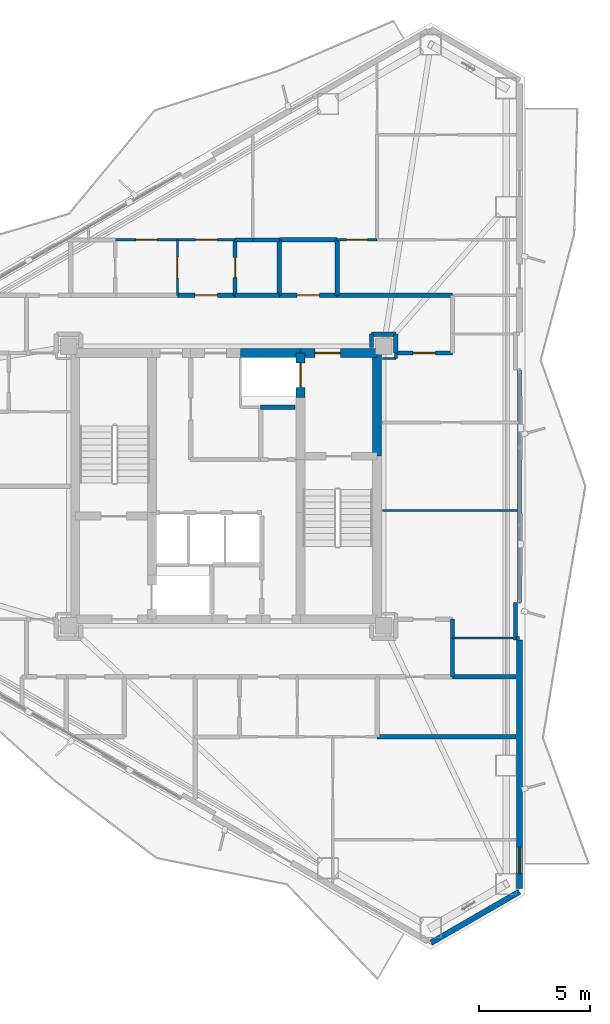
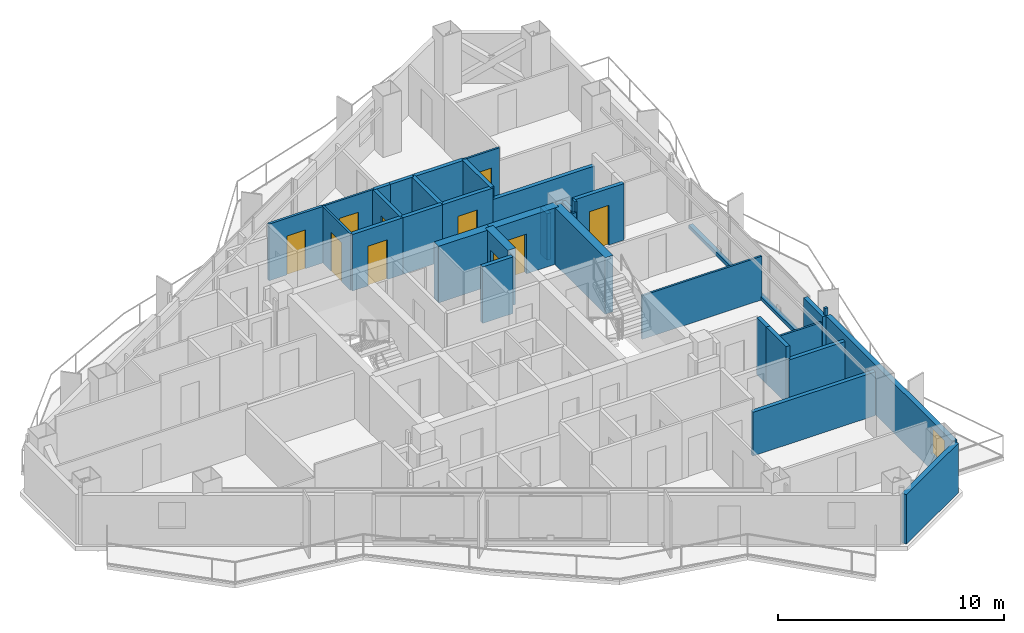
# One storey, part 15 of 18: 36 walls, 10 doors, 1 window, 11 openings.
"""IFC4 building model written with IfcOpenShell, lengths in metres."""

import ifcopenshell
import ifcopenshell.guid

model = None  # the IFC model being written
_history = None  # IfcOwnerHistory: only IFC2X3 demands one
_inside = {}  # id of a spatial element -> (the spatial element, [elements in it])
_under = {}  # id of a project, library or spatial element -> (it, [spatial elements below it])
_declared = {}  # id of a project -> (the project, [libraries it declares])
_typed = {}  # id of a type object -> (the type object, [elements of that type])
_made_of = {}  # id of a material, layer set ... -> (it, [elements and type objects made of it])


def new_model(schema):
    """Start an empty IFC model of exactly this schema.

    Asked for "IFC4X3", IfcOpenShell would pick the latest addendum, in which some entities
    have other attributes; the version numbers below select the first issue.
    IFC2X3 requires an IfcOwnerHistory on every rooted entity: one is made here for all.
    """
    global model, _history
    if schema == "IFC4X3":
        model = ifcopenshell.file(schema_version=(4, 3, 0, 0))
    else:
        model = ifcopenshell.file(schema=schema)
    _inside.clear()
    _under.clear()
    _declared.clear()
    _typed.clear()
    _made_of.clear()
    _history = None
    if model.schema == "IFC2X3":
        org = make("IfcOrganization", Name="unknown")
        user = make(
            "IfcPersonAndOrganization",
            ThePerson=make("IfcPerson", FamilyName="unknown"),
            TheOrganization=org,
        )
        app = make(
            "IfcApplication",
            ApplicationDeveloper=org,
            Version="unknown",
            ApplicationFullName="unknown",
            ApplicationIdentifier="unknown",
        )
        _history = make(
            "IfcOwnerHistory",
            OwningUser=user,
            OwningApplication=app,
            ChangeAction="ADDED",
            CreationDate=0,
        )
    return model


def make(cls, **values):
    """One entity of the class cls with the attributes given. An attribute that is None is left unset."""
    return model.create_entity(
        cls, **{name: value for name, value in values.items() if value is not None}
    )


def rooted(cls, **values):
    """An entity with a GlobalId (a new one), such as an element, a storey or a relation."""
    return make(cls, GlobalId=ifcopenshell.guid.new(), OwnerHistory=_history, **values)


def si_unit(unit_type, name, prefix=None):
    """IfcSIUnit, for example si_unit("LENGTHUNIT", "METRE", prefix="MILLI")."""
    return make("IfcSIUnit", UnitType=unit_type, Prefix=prefix, Name=name)


def assignment(units):
    """IfcUnitAssignment: the units of a project."""
    return None if units is None else make("IfcUnitAssignment", Units=units)


def point(xyz):
    """IfcCartesianPoint."""
    return None if xyz is None else make("IfcCartesianPoint", Coordinates=xyz)


def direction(xyz):
    """IfcDirection."""
    return None if xyz is None else make("IfcDirection", DirectionRatios=xyz)


def frame(location, z_axis=None, x_axis=None):
    """IfcAxis2Placement3D, a coordinate frame: its origin and axes. An axis left out is left unset."""
    return make(
        "IfcAxis2Placement3D",
        Location=point(location),
        Axis=direction(z_axis),
        RefDirection=direction(x_axis),
    )


def frame_2d(location, x_axis=None):
    """IfcAxis2Placement2D, a coordinate frame in the plane: its origin and x axis."""
    return make(
        "IfcAxis2Placement2D", Location=point(location), RefDirection=direction(x_axis)
    )


def origin():
    """The frame at (0, 0, 0) with its axes left unset."""
    return frame((0.0, 0.0, 0.0))


def place(relative_to, where):
    """IfcLocalPlacement: puts the frame where relative to a parent placement (None: the world)."""
    return make(
        "IfcLocalPlacement", PlacementRelTo=relative_to, RelativePlacement=where
    )


def context(
    kind, dimensions, precision=None, world=None, true_north=None, identifier=None
):
    """IfcGeometricRepresentationContext, for example the 3D "Model" context."""
    return make(
        "IfcGeometricRepresentationContext",
        ContextIdentifier=identifier,
        ContextType=kind,
        CoordinateSpaceDimension=dimensions,
        Precision=precision,
        WorldCoordinateSystem=world,
        TrueNorth=true_north,
    )


def subcontext(parent, identifier, kind, view, scale=None):
    """IfcGeometricRepresentationSubContext, for example "Body" below "Model"."""
    return make(
        "IfcGeometricRepresentationSubContext",
        ContextIdentifier=identifier,
        ContextType=kind,
        ParentContext=parent,
        TargetScale=scale,
        TargetView=view,
    )


def project(units=None, contexts=None):
    """IfcProject with its units and contexts."""
    return rooted(
        "IfcProject",
        Name="project",
        RepresentationContexts=contexts,
        UnitsInContext=assignment(units),
    )


def spatial(cls, under=None, at=None, **own):
    """A site, building, storey or space (cls), placed at a placement, below another one or the project."""
    s = rooted(cls, ObjectPlacement=at, **own)
    if under is not None:
        _under.setdefault(under.id(), (under, []))[1].append(s)
    return s


def profile(cls, at=None, kind="AREA", **sizes):
    """A parametric profile (cls). Its sizes go by their IFC names, for example OverallWidth=200.0."""
    return make(cls, ProfileType=kind, Position=at, **sizes)


def rectangle(**sizes):
    """IfcRectangleProfileDef."""
    return profile("IfcRectangleProfileDef", **sizes)


def extrude(swept, where, along, depth):
    """IfcExtrudedAreaSolid: the profile swept, set in the frame where, extruded along a direction by depth."""
    return make(
        "IfcExtrudedAreaSolid",
        SweptArea=swept,
        Position=where,
        ExtrudedDirection=direction(along),
        Depth=depth,
    )


def shape(context_of_items, identifier, shape_type, items):
    """IfcShapeRepresentation: the items that make up one representation, for example the "Body"."""
    return make(
        "IfcShapeRepresentation",
        ContextOfItems=context_of_items,
        RepresentationIdentifier=identifier,
        RepresentationType=shape_type,
        Items=items,
    )


def material(Name=None, Category=None):
    """IfcMaterial."""
    return make("IfcMaterial", Name=Name, Category=Category)


def layer(
    of_material, thickness, ventilated=None, Name=None, Category=None, Priority=None
):
    """IfcMaterialLayer: one layer of a wall or slab, of a material (None: an air gap)."""
    return make(
        "IfcMaterialLayer",
        Material=of_material,
        LayerThickness=thickness,
        IsVentilated=ventilated,
        Name=Name,
        Category=Category,
        Priority=Priority,
    )


def layer_set(layers, Name=None):
    """IfcMaterialLayerSet."""
    return make("IfcMaterialLayerSet", MaterialLayers=layers, LayerSetName=Name)


def made_of(thing, what):
    """Note that an element or type object is made of a material, layer set ...; save() writes the relation."""
    if what is not None:
        _made_of.setdefault(what.id(), (what, []))[1].append(thing)
    return thing


def type_object(cls, material=None, **own):
    """A type object (cls), such as IfcWallType, which elements share."""
    return made_of(rooted(cls, **own), material)


def element(
    cls,
    number,
    at=None,
    inside=None,
    cuts=None,
    type_object=None,
    material=None,
    context=None,
    identifier="Body",
    shape_type=None,
    held_by="IfcProductDefinitionShape",
    body=None,
    shapes=None,
    **own,
):
    """One element of the class cls, such as IfcWall. Its Tag is "e" and its number.

    at: its placement. inside: the storey or other place that contains it. cuts: it is an
    opening in that element (IfcRelVoidsElement). A single representation is given by context,
    identifier, shape_type and body (its items); several are given by shapes. held_by: the class
    of the entity that holds the representations. save() writes the other relations.
    """
    e = rooted(cls, Tag="e%d" % number, ObjectPlacement=at, **own)
    if body is not None:
        shapes = [shape(context, identifier, shape_type, body)]
    if shapes is not None:
        e.Representation = make(held_by, Representations=shapes)
    if inside is not None:
        _inside.setdefault(inside.id(), (inside, []))[1].append(e)
    if cuts is not None:
        rooted(
            "IfcRelVoidsElement", RelatingBuildingElement=cuts, RelatedOpeningElement=e
        )
    if type_object is not None:
        _typed.setdefault(type_object.id(), (type_object, []))[1].append(e)
    return made_of(e, material)


def fill(opening, filler):
    """IfcRelFillsElement: the door or window that sits in an opening."""
    return rooted(
        "IfcRelFillsElement",
        RelatingOpeningElement=opening,
        RelatedBuildingElement=filler,
    )


def aggregate(whole, parts):
    """IfcRelAggregates: a whole, such as a stair, and the parts it consists of."""
    return rooted("IfcRelAggregates", RelatingObject=whole, RelatedObjects=parts)


def save(model, path):
    """Write the relations noted so far, then the file.

    IfcRelAggregates (storeys below a building ...), IfcRelContainedInSpatialStructure (elements
    in a storey), IfcRelDefinesByType, IfcRelAssociatesMaterial and IfcRelDeclares: one each for
    every whole, place, type object, material and project.
    """
    for whole, parts in _under.values():
        aggregate(whole, parts)
    for where, things in _inside.values():
        rooted(
            "IfcRelContainedInSpatialStructure",
            RelatedElements=things,
            RelatingStructure=where,
        )
    for kind, things in _typed.values():
        rooted("IfcRelDefinesByType", RelatedObjects=things, RelatingType=kind)
    for what, things in _made_of.values():
        rooted("IfcRelAssociatesMaterial", RelatedObjects=things, RelatingMaterial=what)
    for by, libraries in _declared.values():
        rooted("IfcRelDeclares", RelatingContext=by, RelatedDefinitions=libraries)
    model.write(path)


model = new_model("IFC4")

# Units and contexts
model_context = context("Model", 3, precision=1e-05, world=origin(), true_north=direction((0.0, 1.0)))
body_context = subcontext(model_context, "Body", "Model", "MODEL_VIEW")
ifc_project = project(units=[si_unit("LENGTHUNIT", "METRE"), si_unit("AREAUNIT", "SQUARE_METRE"), si_unit("VOLUMEUNIT", "CUBIC_METRE"), si_unit("PLANEANGLEUNIT", "RADIAN"), si_unit("MASSUNIT", "GRAM", prefix="KILO")], contexts=[model_context])

# Site, building, storey
site_placement = place(None, origin())
site = spatial("IfcSite", under=ifc_project, at=site_placement, CompositionType="ELEMENT")
building_placement = place(site_placement, origin())
building = spatial("IfcBuilding", under=site, at=building_placement, Name="Mersakhor Tower and Convention Hall", CompositionType="ELEMENT")
storey_placement = place(building_placement, frame((0.0, 0.0, 137.699951171875)))
storey = spatial("IfcBuildingStorey", under=building, at=storey_placement, Name="L38", CompositionType="ELEMENT", Elevation=137.699951171875)

# Wall
ifc_material_1 = material(Name="Precast concrete C40/50", Category="concrete")
ifc_layer_1 = layer(ifc_material_1, 0.25)
ifc_layer_set_1 = layer_set([ifc_layer_1], Name="Precast concrete C40/50")
wall_type_1 = type_object("IfcWallType", Name="WL-EXT-250", PredefinedType="SOLIDWALL", material=ifc_layer_set_1)
wall_1_placement = place(storey_placement, frame((42.21923828125, 8.470947265625, 0.0), z_axis=(0.0, 0.0, 1.0), x_axis=(-0.866035021055, -0.499983342029, 0.0)))
element("IfcWall", 1, at=wall_1_placement, inside=storey, type_object=wall_type_1, Name="L38 Chamfer Braced Spandrel Wall C2", PredefinedType="SOLIDWALL", context=body_context, shape_type="SweptSolid", body=[
    extrude(rectangle(XDim=4.617431640625, YDim=0.25, at=frame_2d((2.30859375, 0.0))), origin(), (0.0, 0.0, 1.0), 2.679931640625),
])

# Wall, opening, window
wall_2_placement = place(storey_placement, frame((42.21923828125, 19.806884765625, 0.0), z_axis=(0.0, 0.0, 1.0), x_axis=(0.0, -1.0, 0.0)))
wall_2 = element("IfcWall", 2, at=wall_2_placement, inside=storey, type_object=wall_type_1, Name="L38 Exterior Facade Wall F2-B3", PredefinedType="SOLIDWALL", context=body_context, shape_type="SweptSolid", body=[
    extrude(rectangle(XDim=11.185791015625, YDim=0.25, at=frame_2d((5.5927734375, 0.0))), origin(), (0.0, 0.0, 1.0), 2.679931640625),
])
opening_1_placement = place(wall_2_placement, frame((9.326904296875, 0.0, 0.89990234375)))
opening_1 = element("IfcOpeningElement", 3, at=opening_1_placement, cuts=wall_2, Name="Opening W-01", PredefinedType="OPENING", context=body_context, shape_type="SweptSolid", body=[
    extrude(rectangle(XDim=1.199951171875, YDim=1.39990234375, at=frame_2d((0.60009765625, 0.699951171875))), frame((0.0, 0.135009765625, 0.0), z_axis=(0.0, -1.0, 0.0), x_axis=(1.0, 0.0, 0.0)), (0.0, 0.0, 1.0), 0.27001953125),
])
ifc_material_2 = material(Name="Dark solar low-E glazed aluminium window", Category="aluminium")
window_type = type_object("IfcWindowType", Name="WN-RES-120x150", PartitioningType="SINGLE_PANEL", PredefinedType="WINDOW", material=ifc_material_2)
window_placement = place(opening_1_placement, origin())
window = element("IfcWindow", 4, at=window_placement, inside=storey, type_object=window_type, Name="L38 Bedroom Facade Window F2-B3-1", OverallHeight=1.39990234375, OverallWidth=1.199951171875, PartitioningType="SINGLE_PANEL", PredefinedType="WINDOW", context=body_context, shape_type="SweptSolid", body=[
    extrude(rectangle(XDim=1.199951171875, YDim=1.39990234375, at=frame_2d((0.60009765625, 0.699951171875))), frame((0.0, 0.030029296875, 0.0), z_axis=(0.0, -1.0, 0.0), x_axis=(1.0, 0.0, 0.0)), (0.0, 0.0, 1.0), 0.06005859375),
])
fill(opening_1, window)

# Walls
ifc_material_3 = material(Name="Precast concrete C40/50", Category="concrete")
ifc_layer_2 = layer(ifc_material_3, 0.199951171875)
ifc_layer_set_2 = layer_set([ifc_layer_2], Name="Precast concrete C40/50")
wall_type_2 = type_object("IfcWallType", Name="WL-PAR-200", PredefinedType="PARAPET", material=ifc_layer_set_2)
wall_3_placement = place(storey_placement, frame((42.21923828125, 31.992919921875, 0.0), z_axis=(0.0, 0.0, 1.0), x_axis=(0.0, -1.0, 0.0)))
element("IfcWall", 5, at=wall_3_placement, inside=storey, type_object=wall_type_2, Name="L38 Curtain Wall Upstand Sill F2-B2", PredefinedType="PARAPET", context=body_context, shape_type="SweptSolid", body=[
    extrude(rectangle(XDim=10.48583984375, YDim=0.199951171875, at=frame_2d((5.242919921875, 0.0))), origin(), (0.0, 0.0, 1.0), 0.199951171875),
])
wall_4_placement = place(storey_placement, frame((42.039306640625, 21.507080078125, 0.0), z_axis=(0.0, 0.0, 1.0), x_axis=(0.0, -1.0, 0.0)))
element("IfcWall", 6, at=wall_4_placement, inside=storey, type_object=wall_type_2, Name="L38 Column Pier Cladding Wall F2-C2", PredefinedType="PARAPET", context=body_context, shape_type="SweptSolid", body=[
    extrude(rectangle(XDim=1.7001953125, YDim=0.199951171875, at=frame_2d((0.85009765625, 0.0))), origin(), (0.0, 0.0, 1.0), 2.679931640625),
])

# Wall, opening, door
ifc_material_4 = material(Name="Moisture-resistant acoustic drywall studwork", Category="other")
ifc_layer_3 = layer(ifc_material_4, 0.175048828125)
ifc_layer_set_3 = layer_set([ifc_layer_3], Name="Moisture-resistant acoustic drywall studwork")
wall_type_3 = type_object("IfcWallType", Name="WL-PLM-175", PredefinedType="PLUMBINGWALL", material=ifc_layer_set_3)
wall_5_placement = place(storey_placement, frame((29.39990234375, 37.85009765625, 0.0), z_axis=(0.0, 0.0, 1.0), x_axis=(0.0, -1.0, 0.0)))
wall_5 = element("IfcWall", 7, at=wall_5_placement, inside=storey, type_object=wall_type_3, Name="L38 Interior Partition Wall P-053", PredefinedType="PLUMBINGWALL", context=body_context, shape_type="SweptSolid", body=[
    extrude(rectangle(XDim=2.5, YDim=0.175048828125, at=frame_2d((1.25, 0.0))), origin(), (0.0, 0.0, 1.0), 3.06005859375),
])
opening_2_placement = place(wall_5_placement, frame((0.800048828125, 0.0, 0.0)))
opening_2 = element("IfcOpeningElement", 8, at=opening_2_placement, cuts=wall_5, Name="Opening WD-01", PredefinedType="OPENING", context=body_context, shape_type="SweptSolid", body=[
    extrude(rectangle(XDim=0.89990234375, YDim=2.10009765625, at=frame_2d((0.449951171875, 1.050048828125))), frame((0.0, 0.097412109375, 0.0), z_axis=(0.0, -1.0, 0.0), x_axis=(1.0, 0.0, 0.0)), (0.0, 0.0, 1.0), 0.195068359375),
])
ifc_material_5 = material(Name="Solid-core hardwood leaf in painted steel frame", Category="steel")
door_type_1 = type_object("IfcDoorType", Name="DR-INT-WET-090x210", OperationType="NOTDEFINED", PredefinedType="DOOR", material=ifc_material_5)
door_1_placement = place(opening_2_placement, origin())
door_1 = element("IfcDoor", 9, at=door_1_placement, inside=storey, type_object=door_type_1, Name="L38 L38 Flat N1 Apartment Hall to L38 Flat N1 En-Suite Shower Room Door", OperationType="SINGLE_SWING_LEFT", OverallHeight=2.10009765625, OverallWidth=0.89990234375, PredefinedType="DOOR", context=body_context, shape_type="SweptSolid", body=[
    extrude(rectangle(XDim=0.89990234375, YDim=2.10009765625, at=frame_2d((0.449951171875, 1.050048828125))), frame((0.0, 0.02490234375, 0.0), z_axis=(0.0, -1.0, 0.0), x_axis=(1.0, 0.0, 0.0)), (0.0, 0.0, 1.0), 0.050048828125),
])
fill(opening_2, door_1)

# Walls
wall_6_placement = place(storey_placement, frame((29.39990234375, 37.85009765625, 0.0), z_axis=(0.0, 0.0, 1.0), x_axis=(1.0, 0.0, 0.0)))
element("IfcWall", 10, at=wall_6_placement, inside=storey, type_object=wall_type_3, Name="L38 Interior Partition Wall P-068", PredefinedType="PLUMBINGWALL", context=body_context, shape_type="SweptSolid", body=[
    extrude(rectangle(XDim=0.800048828125, YDim=0.175048828125, at=frame_2d((0.39990234375, 0.0))), origin(), (0.0, 0.0, 1.0), 3.06005859375),
])
wall_7_placement = place(storey_placement, frame((30.199951171875, 37.85009765625, 0.0), z_axis=(0.0, 0.0, 1.0), x_axis=(1.0, 0.0, 0.0)))
element("IfcWall", 11, at=wall_7_placement, inside=storey, type_object=wall_type_3, Name="L38 Interior Partition Wall P-069", PredefinedType="PLUMBINGWALL", context=body_context, shape_type="SweptSolid", body=[
    extrude(rectangle(XDim=1.199951171875, YDim=0.175048828125, at=frame_2d((0.60009765625, 0.0))), origin(), (0.0, 0.0, 1.0), 3.06005859375),
])

# Wall, opening, door
ifc_material_6 = material(Name="Lightweight gypsum partition", Category="other")
ifc_layer_4 = layer(ifc_material_6, 0.10009765625)
ifc_layer_set_4 = layer_set([ifc_layer_4], Name="Lightweight gypsum partition")
wall_type_4 = type_object("IfcWallType", Name="WL-PRT-100", PredefinedType="PARTITIONING", material=ifc_layer_set_4)
wall_8_placement = place(storey_placement, frame((26.800048828125, 37.85009765625, 0.0), z_axis=(0.0, 0.0, 1.0), x_axis=(1.0, 0.0, 0.0)))
wall_8 = element("IfcWall", 12, at=wall_8_placement, inside=storey, type_object=wall_type_4, Name="L38 Interior Partition Wall P-052", PredefinedType="PARTITIONING", context=body_context, shape_type="SweptSolid", body=[
    extrude(rectangle(XDim=2.599853515625, YDim=0.10009765625, at=frame_2d((1.2998046875, 0.0))), origin(), (0.0, 0.0, 1.0), 3.06005859375),
])
opening_3_placement = place(wall_8_placement, frame((0.824951171875, 0.0, 0.0)))
opening_3 = element("IfcOpeningElement", 13, at=opening_3_placement, cuts=wall_8, Name="Opening RD-01", PredefinedType="OPENING", context=body_context, shape_type="SweptSolid", body=[
    extrude(rectangle(XDim=0.949951171875, YDim=2.10009765625, at=frame_2d((0.47509765625, 1.050048828125))), frame((0.0, 0.06005859375, 0.0), z_axis=(0.0, -1.0, 0.0), x_axis=(1.0, 0.0, 0.0)), (0.0, 0.0, 1.0), 0.1201171875),
])
ifc_material_7 = material(Name="Solid-core hardwood leaf in painted steel frame", Category="steel")
door_type_2 = type_object("IfcDoorType", Name="DR-INT-RM-095x210", OperationType="NOTDEFINED", PredefinedType="DOOR", material=ifc_material_7)
door_2_placement = place(opening_3_placement, origin())
door_2 = element("IfcDoor", 14, at=door_2_placement, inside=storey, type_object=door_type_2, Name="L38 L38 Flat N1 Apartment Hall to L38 Flat N1 Living and Dining Room Door", OperationType="SINGLE_SWING_RIGHT", OverallHeight=2.10009765625, OverallWidth=0.949951171875, PredefinedType="DOOR", context=body_context, shape_type="SweptSolid", body=[
    extrude(rectangle(XDim=0.949951171875, YDim=2.10009765625, at=frame_2d((0.47509765625, 1.050048828125))), frame((0.0, 0.02490234375, 0.0), z_axis=(0.0, -1.0, 0.0), x_axis=(1.0, 0.0, 0.0)), (0.0, 0.0, 1.0), 0.050048828125),
])
fill(opening_3, door_2)

wall_9_placement = place(storey_placement, frame((26.800048828125, 35.35009765625, 0.0), z_axis=(0.0, 0.0, 1.0), x_axis=(0.0, 1.0, 0.0)))
wall_9 = element("IfcWall", 15, at=wall_9_placement, inside=storey, type_object=wall_type_4, Name="L38 Interior Partition Wall P-054", PredefinedType="PARTITIONING", context=body_context, shape_type="SweptSolid", body=[
    extrude(rectangle(XDim=2.5, YDim=0.10009765625, at=frame_2d((1.25, 0.0))), origin(), (0.0, 0.0, 1.0), 3.06005859375),
])
opening_4_placement = place(wall_9_placement, frame((0.77490234375, 0.0, 0.0)))
opening_4 = element("IfcOpeningElement", 16, at=opening_4_placement, cuts=wall_9, Name="Opening RD-01", PredefinedType="OPENING", context=body_context, shape_type="SweptSolid", body=[
    extrude(rectangle(XDim=0.949951171875, YDim=2.10009765625, at=frame_2d((0.47509765625, 1.050048828125))), frame((0.0, 0.06005859375, 0.0), z_axis=(0.0, -1.0, 0.0), x_axis=(1.0, 0.0, 0.0)), (0.0, 0.0, 1.0), 0.1201171875),
])
door_3_placement = place(opening_4_placement, origin())
door_3 = element("IfcDoor", 17, at=door_3_placement, inside=storey, type_object=door_type_2, Name="L38 L38 Flat N1 Apartment Hall to L38 Flat N1 Kitchen Door", OperationType="SINGLE_SWING_RIGHT", OverallHeight=2.10009765625, OverallWidth=0.949951171875, PredefinedType="DOOR", context=body_context, shape_type="SweptSolid", body=[
    extrude(rectangle(XDim=0.949951171875, YDim=2.10009765625, at=frame_2d((0.47509765625, 1.050048828125))), frame((0.0, 0.02490234375, 0.0), z_axis=(0.0, -1.0, 0.0), x_axis=(1.0, 0.0, 0.0)), (0.0, 0.0, 1.0), 0.050048828125),
])
fill(opening_4, door_3)

# Walls
wall_10_placement = place(storey_placement, frame((42.18115234375, 25.64990234375, 0.0), z_axis=(0.0, 0.0, 1.0), x_axis=(-1.0, 0.0, 0.0)))
element("IfcWall", 18, at=wall_10_placement, inside=storey, type_object=wall_type_4, Name="L38 Interior Partition Wall P-098", PredefinedType="PARTITIONING", context=body_context, shape_type="SweptSolid", body=[
    extrude(rectangle(XDim=6.131103515625, YDim=0.10009765625, at=frame_2d((3.0654296875, 0.0))), origin(), (0.0, 0.0, 1.0), 2.364990234375),
])
wall_11_placement = place(storey_placement, frame((36.050048828125, 32.5, 0.0), z_axis=(0.0, 0.0, 1.0), x_axis=(1.0, 0.0, 0.0)))
element("IfcWall", 19, at=wall_11_placement, inside=storey, type_object=wall_type_4, Name="L38 Interior Partition Wall P-102", PredefinedType="PARTITIONING", context=body_context, shape_type="SweptSolid", body=[
    extrude(rectangle(XDim=0.599853515625, YDim=0.10009765625, at=frame_2d((0.2998046875, 0.0))), origin(), (0.0, 0.0, 1.0), 2.50830078125),
])
wall_12_placement = place(storey_placement, frame((41.915283203125, 19.89990234375, 0.0), z_axis=(0.0, 0.0, 1.0), x_axis=(-1.0, 0.0, 0.0)))
element("IfcWall", 20, at=wall_12_placement, inside=storey, type_object=wall_type_4, Name="L38 Interior Partition Wall P-106", PredefinedType="PARTITIONING", context=body_context, shape_type="SweptSolid", body=[
    extrude(rectangle(XDim=2.71533203125, YDim=0.10009765625, at=frame_2d((1.357666015625, 0.0))), origin(), (0.0, 0.0, 1.0), 2.364990234375),
])

# Wall, opening, door
wall_13_placement = place(storey_placement, frame((34.0, 37.85009765625, 0.0), z_axis=(0.0, 0.0, 1.0), x_axis=(1.0, 0.0, 0.0)))
wall_13 = element("IfcWall", 21, at=wall_13_placement, inside=storey, type_object=wall_type_4, Name="L38 Interior Partition Wall P-108", PredefinedType="PARTITIONING", context=body_context, shape_type="SweptSolid", body=[
    extrude(rectangle(XDim=1.800048828125, YDim=0.10009765625, at=frame_2d((0.89990234375, 0.0))), origin(), (0.0, 0.0, 1.0), 3.06005859375),
])
opening_5_placement = place(wall_13_placement, frame((0.425048828125, 0.0, 0.0)))
opening_5 = element("IfcOpeningElement", 22, at=opening_5_placement, cuts=wall_13, Name="Opening RD-01", PredefinedType="OPENING", context=body_context, shape_type="SweptSolid", body=[
    extrude(rectangle(XDim=0.949951171875, YDim=2.10009765625, at=frame_2d((0.47509765625, 1.050048828125))), frame((0.0, 0.06005859375, 0.0), z_axis=(0.0, -1.0, 0.0), x_axis=(1.0, 0.0, 0.0)), (0.0, 0.0, 1.0), 0.1201171875),
])
door_4_placement = place(opening_5_placement, origin())
door_4 = element("IfcDoor", 23, at=door_4_placement, inside=storey, type_object=door_type_2, Name="L38 L38 Flat N1 Study Room to L38 Flat N1 Master Bedroom Door", OperationType="SINGLE_SWING_RIGHT", OverallHeight=2.10009765625, OverallWidth=0.949951171875, PredefinedType="DOOR", context=body_context, shape_type="SweptSolid", body=[
    extrude(rectangle(XDim=0.949951171875, YDim=2.10009765625, at=frame_2d((0.47509765625, 1.050048828125))), frame((0.0, 0.02490234375, 0.0), z_axis=(0.0, -1.0, 0.0), x_axis=(1.0, 0.0, 0.0)), (0.0, 0.0, 1.0), 0.050048828125),
])
fill(opening_5, door_4)

ifc_material_8 = material(Name="Gypsum board acoustic partition", Category="other")
ifc_layer_5 = layer(ifc_material_8, 0.125)
ifc_layer_set_5 = layer_set([ifc_layer_5], Name="Gypsum board acoustic partition")
wall_type_5 = type_object("IfcWallType", Name="WL-PRT-125", PredefinedType="PARTITIONING", material=ifc_layer_set_5)
wall_14_placement = place(storey_placement, frame((24.0, 37.85009765625, 0.0), z_axis=(0.0, 0.0, 1.0), x_axis=(1.0, 0.0, 0.0)))
wall_14 = element("IfcWall", 24, at=wall_14_placement, inside=storey, type_object=wall_type_5, Name="L38 Interior Partition Wall P-063", PredefinedType="PARTITIONING", context=body_context, shape_type="SweptSolid", body=[
    extrude(rectangle(XDim=2.800048828125, YDim=0.125, at=frame_2d((1.39990234375, 0.0))), origin(), (0.0, 0.0, 1.0), 3.06005859375),
])
opening_6_placement = place(wall_14_placement, frame((0.925048828125, 0.0, 0.0)))
opening_6 = element("IfcOpeningElement", 25, at=opening_6_placement, cuts=wall_14, Name="Opening RD-01", PredefinedType="OPENING", context=body_context, shape_type="SweptSolid", body=[
    extrude(rectangle(XDim=0.949951171875, YDim=2.10009765625, at=frame_2d((0.47509765625, 1.050048828125))), frame((0.0, 0.072509765625, 0.0), z_axis=(0.0, -1.0, 0.0), x_axis=(1.0, 0.0, 0.0)), (0.0, 0.0, 1.0), 0.14501953125),
])
door_5_placement = place(opening_6_placement, origin())
door_5 = element("IfcDoor", 26, at=door_5_placement, inside=storey, type_object=door_type_2, Name="L38 L38 Flat N1 Kitchen to L38 Flat N1 Living and Dining Room Door", OperationType="SINGLE_SWING_RIGHT", OverallHeight=2.10009765625, OverallWidth=0.949951171875, PredefinedType="DOOR", context=body_context, shape_type="SweptSolid", body=[
    extrude(rectangle(XDim=0.949951171875, YDim=2.10009765625, at=frame_2d((0.47509765625, 1.050048828125))), frame((0.0, 0.02490234375, 0.0), z_axis=(0.0, -1.0, 0.0), x_axis=(1.0, 0.0, 0.0)), (0.0, 0.0, 1.0), 0.050048828125),
])
fill(opening_6, door_5)

# Walls
wall_15_placement = place(storey_placement, frame((36.64990234375, 32.5, 0.0), z_axis=(0.0, 0.0, 1.0), x_axis=(0.0, 1.0, 0.0)))
element("IfcWall", 27, at=wall_15_placement, inside=storey, type_object=wall_type_5, Name="L38 Interior Partition Wall P-099", PredefinedType="PARTITIONING", context=body_context, shape_type="SweptSolid", body=[
    extrude(rectangle(XDim=0.25, YDim=0.125, at=frame_2d((0.125, 0.0))), origin(), (0.0, 0.0, 1.0), 3.06005859375),
])
wall_16_placement = place(storey_placement, frame((42.218994140625, 19.89990234375, 0.0), z_axis=(0.0, 0.0, 1.0), x_axis=(-1.0, 0.0, 0.0)))
element("IfcWall", 28, at=wall_16_placement, inside=storey, type_object=wall_type_5, Name="L38 Interior Partition Wall P-105", PredefinedType="PARTITIONING", context=body_context, shape_type="SweptSolid", body=[
    extrude(rectangle(XDim=0.144775390625, YDim=0.125, at=frame_2d((0.072265625, 0.0))), origin(), (0.0, 0.0, 1.0), 3.06005859375),
])
ifc_material_9 = material(Name="Acoustic concrete blockwork and gypsum board", Category="masonry")
ifc_layer_6 = layer(ifc_material_9, 0.199951171875)
ifc_layer_set_6 = layer_set([ifc_layer_6], Name="Acoustic concrete blockwork and gypsum board")
wall_type_6 = type_object("IfcWallType", Name="WL-PRT-200", PredefinedType="PARTITIONING", material=ifc_layer_set_6)
wall_17_placement = place(storey_placement, frame((32.10009765625, 30.300048828125, 0.0), z_axis=(0.0, 0.0, 1.0), x_axis=(-1.0, 0.0, 0.0)))
element("IfcWall", 29, at=wall_17_placement, inside=storey, type_object=wall_type_6, Name="L38 Interior Partition Wall P-004", PredefinedType="PARTITIONING", context=body_context, shape_type="SweptSolid", body=[
    extrude(rectangle(XDim=1.550048828125, YDim=0.199951171875, at=frame_2d((0.77490234375, 0.0))), origin(), (0.0, 0.0, 1.0), 3.06005859375),
])
wall_18_placement = place(storey_placement, frame((35.550048828125, 33.60009765625, 0.0), z_axis=(0.0, 0.0, 1.0), x_axis=(0.0, -1.0, 0.0)))
element("IfcWall", 30, at=wall_18_placement, inside=storey, type_object=wall_type_6, Name="L38 Interior Partition Wall P-016", PredefinedType="PARTITIONING", context=body_context, shape_type="SweptSolid", body=[
    extrude(rectangle(XDim=0.60009765625, YDim=0.199951171875, at=frame_2d((0.300048828125, 0.0))), origin(), (0.0, 0.0, 1.0), 2.50830078125),
])

# Wall, opening, door
wall_19_placement = place(storey_placement, frame((26.800048828125, 35.35009765625, 0.0), z_axis=(0.0, 0.0, 1.0), x_axis=(1.0, 0.0, 0.0)))
wall_19 = element("IfcWall", 31, at=wall_19_placement, inside=storey, type_object=wall_type_6, Name="L38 Interior Partition Wall P-025", PredefinedType="PARTITIONING", context=body_context, shape_type="SweptSolid", body=[
    extrude(rectangle(XDim=2.599853515625, YDim=0.199951171875, at=frame_2d((1.2998046875, 0.0))), origin(), (0.0, 0.0, 1.0), 3.06005859375),
])
opening_7_placement = place(wall_19_placement, frame((0.800048828125, 0.0, 0.0)))
opening_7 = element("IfcOpeningElement", 32, at=opening_7_placement, cuts=wall_19, Name="Opening FD-01", PredefinedType="OPENING", context=body_context, shape_type="SweptSolid", body=[
    extrude(rectangle(XDim=1.0, YDim=2.14990234375, at=frame_2d((0.5, 1.074951171875))), frame((0.0, 0.10986328125, 0.0), z_axis=(0.0, -1.0, 0.0), x_axis=(1.0, 0.0, 0.0)), (0.0, 0.0, 1.0), 0.219970703125),
])
ifc_material_10 = material(Name="Fire-rated hardwood leaf and painted steel frame", Category="steel")
door_type_3 = type_object("IfcDoorType", Name="DR-INT-FLT-100x215", OperationType="NOTDEFINED", PredefinedType="DOOR", material=ifc_material_10)
door_6_placement = place(opening_7_placement, origin())
door_6 = element("IfcDoor", 33, at=door_6_placement, inside=storey, type_object=door_type_3, Name="L38 Apartment Entrance Door (Residential North Gallery Corridor to L38 Flat N1 Apartment Hall)", OperationType="SINGLE_SWING_RIGHT", OverallHeight=2.14990234375, OverallWidth=1.0, PredefinedType="DOOR", context=body_context, shape_type="SweptSolid", body=[
    extrude(rectangle(XDim=1.0, YDim=2.14990234375, at=frame_2d((0.5, 1.074951171875))), frame((0.0, 0.02490234375, 0.0), z_axis=(0.0, -1.0, 0.0), x_axis=(1.0, 0.0, 0.0)), (0.0, 0.0, 1.0), 0.050048828125),
])
fill(opening_7, door_6)

# Wall
wall_20_placement = place(storey_placement, frame((29.39990234375, 35.35009765625, 0.0), z_axis=(0.0, 0.0, 1.0), x_axis=(1.0, 0.0, 0.0)))
element("IfcWall", 34, at=wall_20_placement, inside=storey, type_object=wall_type_6, Name="L38 Interior Partition Wall P-026", PredefinedType="PARTITIONING", context=body_context, shape_type="SweptSolid", body=[
    extrude(rectangle(XDim=2.0, YDim=0.199951171875, at=frame_2d((1.0, 0.0))), origin(), (0.0, 0.0, 1.0), 3.06005859375),
])

# Wall, opening, door
wall_21_placement = place(storey_placement, frame((31.39990234375, 35.35009765625, 0.0), z_axis=(0.0, 0.0, 1.0), x_axis=(1.0, 0.0, 0.0)))
wall_21 = element("IfcWall", 35, at=wall_21_placement, inside=storey, type_object=wall_type_6, Name="L38 Interior Partition Wall P-027", PredefinedType="PARTITIONING", context=body_context, shape_type="SweptSolid", body=[
    extrude(rectangle(XDim=2.60009765625, YDim=0.199951171875, at=frame_2d((1.300048828125, 0.0))), origin(), (0.0, 0.0, 1.0), 3.06005859375),
])
opening_8_placement = place(wall_21_placement, frame((0.800048828125, 0.0, 0.0)))
opening_8 = element("IfcOpeningElement", 36, at=opening_8_placement, cuts=wall_21, Name="Opening FD-01", PredefinedType="OPENING", context=body_context, shape_type="SweptSolid", body=[
    extrude(rectangle(XDim=1.0, YDim=2.14990234375, at=frame_2d((0.5, 1.074951171875))), frame((0.0, 0.10986328125, 0.0), z_axis=(0.0, -1.0, 0.0), x_axis=(1.0, 0.0, 0.0)), (0.0, 0.0, 1.0), 0.219970703125),
])
door_7_placement = place(opening_8_placement, origin())
door_7 = element("IfcDoor", 37, at=door_7_placement, inside=storey, type_object=door_type_3, Name="L38 Residential North Gallery Corridor to L38 North Wing Shared Laundry Room Door", OperationType="SINGLE_SWING_LEFT", OverallHeight=2.14990234375, OverallWidth=1.0, PredefinedType="DOOR", context=body_context, shape_type="SweptSolid", body=[
    extrude(rectangle(XDim=1.0, YDim=2.14990234375, at=frame_2d((0.5, 1.074951171875))), frame((0.0, 0.02490234375, 0.0), z_axis=(0.0, -1.0, 0.0), x_axis=(1.0, 0.0, 0.0)), (0.0, 0.0, 1.0), 0.050048828125),
])
fill(opening_8, door_7)

# Wall
wall_22_placement = place(storey_placement, frame((34.0, 35.35009765625, 0.0), z_axis=(0.0, 0.0, 1.0), x_axis=(1.0, 0.0, 0.0)))
element("IfcWall", 38, at=wall_22_placement, inside=storey, type_object=wall_type_6, Name="L38 Interior Partition Wall P-028", PredefinedType="PARTITIONING", context=body_context, shape_type="SweptSolid", body=[
    extrude(rectangle(XDim=5.199951171875, YDim=0.199951171875, at=frame_2d((2.60009765625, 0.0))), origin(), (0.0, 0.0, 1.0), 2.432861328125),
])

# Wall, opening, door
wall_23_placement = place(storey_placement, frame((39.199951171875, 32.75, 0.0), z_axis=(0.0, 0.0, 1.0), x_axis=(-1.0, 0.0, 0.0)))
wall_23 = element("IfcWall", 39, at=wall_23_placement, inside=storey, type_object=wall_type_6, Name="L38 Interior Partition Wall P-031", PredefinedType="PARTITIONING", context=body_context, shape_type="SweptSolid", body=[
    extrude(rectangle(XDim=2.550048828125, YDim=0.199951171875, at=frame_2d((1.27490234375, 0.0))), origin(), (0.0, 0.0, 1.0), 3.06005859375),
])
opening_9_placement = place(wall_23_placement, frame((0.77490234375, 0.0, 0.0)))
opening_9 = element("IfcOpeningElement", 40, at=opening_9_placement, cuts=wall_23, Name="Opening FD-01", PredefinedType="OPENING", context=body_context, shape_type="SweptSolid", body=[
    extrude(rectangle(XDim=1.0, YDim=2.14990234375, at=frame_2d((0.5, 1.074951171875))), frame((0.0, 0.10986328125, 0.0), z_axis=(0.0, -1.0, 0.0), x_axis=(1.0, 0.0, 0.0)), (0.0, 0.0, 1.0), 0.219970703125),
])
door_8_placement = place(opening_9_placement, origin())
door_8 = element("IfcDoor", 41, at=door_8_placement, inside=storey, type_object=door_type_3, Name="L38 Residential North Gallery Corridor to L38 East Wing Sky Study Room Annex Door", OperationType="SINGLE_SWING_LEFT", OverallHeight=2.14990234375, OverallWidth=1.0, PredefinedType="DOOR", context=body_context, shape_type="SweptSolid", body=[
    extrude(rectangle(XDim=1.0, YDim=2.14990234375, at=frame_2d((0.5, 1.074951171875))), frame((0.0, 0.02490234375, 0.0), z_axis=(0.0, -1.0, 0.0), x_axis=(1.0, 0.0, 0.0)), (0.0, 0.0, 1.0), 0.050048828125),
])
fill(opening_9, door_8)

# Walls
wall_24_placement = place(storey_placement, frame((36.64990234375, 32.75, 0.0), z_axis=(0.0, 0.0, 1.0), x_axis=(0.0, 1.0, 0.0)))
element("IfcWall", 42, at=wall_24_placement, inside=storey, type_object=wall_type_6, Name="L38 Interior Partition Wall P-032", PredefinedType="PARTITIONING", context=body_context, shape_type="SweptSolid", body=[
    extrude(rectangle(XDim=0.85009765625, YDim=0.199951171875, at=frame_2d((0.425048828125, 0.0))), origin(), (0.0, 0.0, 1.0), 2.432861328125),
])
wall_25_placement = place(storey_placement, frame((36.64990234375, 33.60009765625, 0.0), z_axis=(0.0, 0.0, 1.0), x_axis=(-1.0, 0.0, 0.0)))
element("IfcWall", 43, at=wall_25_placement, inside=storey, type_object=wall_type_6, Name="L38 Interior Partition Wall P-033", PredefinedType="PARTITIONING", context=body_context, shape_type="SweptSolid", body=[
    extrude(rectangle(XDim=1.099853515625, YDim=0.199951171875, at=frame_2d((0.5498046875, 0.0))), origin(), (0.0, 0.0, 1.0), 2.432861328125),
])
wall_26_placement = place(storey_placement, frame((39.199951171875, 20.75, 0.0), z_axis=(0.0, 0.0, 1.0), x_axis=(0.0, -1.0, 0.0)))
element("IfcWall", 44, at=wall_26_placement, inside=storey, type_object=wall_type_6, Name="L38 Interior Partition Wall P-039", PredefinedType="PARTITIONING", context=body_context, shape_type="SweptSolid", body=[
    extrude(rectangle(XDim=0.85009765625, YDim=0.199951171875, at=frame_2d((0.425048828125, 0.0))), origin(), (0.0, 0.0, 1.0), 3.06005859375),
])
wall_27_placement = place(storey_placement, frame((39.199951171875, 19.89990234375, 0.0), z_axis=(0.0, 0.0, 1.0), x_axis=(0.0, -1.0, 0.0)))
element("IfcWall", 45, at=wall_27_placement, inside=storey, type_object=wall_type_6, Name="L38 Interior Partition Wall P-040", PredefinedType="PARTITIONING", context=body_context, shape_type="SweptSolid", body=[
    extrude(rectangle(XDim=1.75, YDim=0.199951171875, at=frame_2d((0.875, 0.0))), origin(), (0.0, 0.0, 1.0), 3.06005859375),
])
wall_28_placement = place(storey_placement, frame((31.39990234375, 37.85009765625, 0.0), z_axis=(0.0, 0.0, 1.0), x_axis=(0.0, -1.0, 0.0)))
element("IfcWall", 46, at=wall_28_placement, inside=storey, type_object=wall_type_6, Name="L38 Interior Partition Wall P-070", PredefinedType="PARTITIONING", context=body_context, shape_type="SweptSolid", body=[
    extrude(rectangle(XDim=2.5, YDim=0.199951171875, at=frame_2d((1.25, 0.0))), origin(), (0.0, 0.0, 1.0), 3.06005859375),
])
wall_29_placement = place(storey_placement, frame((31.39990234375, 37.85009765625, 0.0), z_axis=(0.0, 0.0, 1.0), x_axis=(1.0, 0.0, 0.0)))
element("IfcWall", 47, at=wall_29_placement, inside=storey, type_object=wall_type_6, Name="L38 Interior Partition Wall P-086", PredefinedType="PARTITIONING", context=body_context, shape_type="SweptSolid", body=[
    extrude(rectangle(XDim=2.60009765625, YDim=0.199951171875, at=frame_2d((1.300048828125, 0.0))), origin(), (0.0, 0.0, 1.0), 3.06005859375),
])
wall_30_placement = place(storey_placement, frame((34.0, 37.85009765625, 0.0), z_axis=(0.0, 0.0, 1.0), x_axis=(0.0, -1.0, 0.0)))
element("IfcWall", 48, at=wall_30_placement, inside=storey, type_object=wall_type_6, Name="L38 Interior Partition Wall P-087", PredefinedType="PARTITIONING", context=body_context, shape_type="SweptSolid", body=[
    extrude(rectangle(XDim=2.5, YDim=0.199951171875, at=frame_2d((1.25, 0.0))), origin(), (0.0, 0.0, 1.0), 3.06005859375),
])
wall_31_placement = place(storey_placement, frame((39.199951171875, 18.14990234375, 0.0), z_axis=(0.0, 0.0, 1.0), x_axis=(1.0, 0.0, 0.0)))
element("IfcWall", 49, at=wall_31_placement, inside=storey, type_object=wall_type_6, Name="L38 Interior Partition Wall P-090", PredefinedType="PARTITIONING", context=body_context, shape_type="SweptSolid", body=[
    extrude(rectangle(XDim=2.870361328125, YDim=0.199951171875, at=frame_2d((1.43505859375, 0.0))), origin(), (0.0, 0.0, 1.0), 2.364990234375),
])
wall_32_placement = place(storey_placement, frame((42.0703125, 15.449951171875, 0.0), z_axis=(0.0, 0.0, 1.0), x_axis=(-1.0, 0.0, 0.0)))
element("IfcWall", 50, at=wall_32_placement, inside=storey, type_object=wall_type_6, Name="L38 Interior Partition Wall P-091", PredefinedType="PARTITIONING", context=body_context, shape_type="SweptSolid", body=[
    extrude(rectangle(XDim=6.270263671875, YDim=0.199951171875, at=frame_2d((3.13525390625, 0.0))), origin(), (0.0, 0.0, 1.0), 2.364990234375),
])
ifc_material_11 = material(Name="Concrete C60/75", Category="concrete")
ifc_layer_7 = layer(ifc_material_11, 0.39990234375)
ifc_layer_set_7 = layer_set([ifc_layer_7], Name="Concrete C60/75")
wall_type_7 = type_object("IfcWallType", Name="WL-SHR-400", PredefinedType="SHEAR", material=ifc_layer_set_7)
wall_33_placement = place(storey_placement, frame((29.64990234375, 32.75, 0.0), z_axis=(0.0, 0.0, 1.0), x_axis=(1.0, 0.0, 0.0)))
element("IfcWall", 51, at=wall_33_placement, inside=storey, type_object=wall_type_7, Name="L38 Core Wall CW-N3", PredefinedType="SHEAR", context=body_context, shape_type="SweptSolid", body=[
    extrude(rectangle(XDim=2.7001953125, YDim=0.39990234375, at=frame_2d((1.35009765625, 0.0))), origin(), (0.0, 0.0, 1.0), 3.06005859375),
])

# Wall, opening, door
wall_34_placement = place(storey_placement, frame((32.35009765625, 32.75, 0.0), z_axis=(0.0, 0.0, 1.0), x_axis=(1.0, 0.0, 0.0)))
wall_34 = element("IfcWall", 52, at=wall_34_placement, inside=storey, type_object=wall_type_7, Name="L38 Core Wall CW-N4", PredefinedType="SHEAR", context=body_context, shape_type="SweptSolid", body=[
    extrude(rectangle(XDim=3.449951171875, YDim=0.39990234375, at=frame_2d((1.72509765625, 0.0))), origin(), (0.0, 0.0, 1.0), 3.06005859375),
])
opening_10_placement = place(wall_34_placement, frame((0.64990234375, 0.0, 0.0)))
opening_10 = element("IfcOpeningElement", 53, at=opening_10_placement, cuts=wall_34, Name="Opening SD-01", PredefinedType="OPENING", context=body_context, shape_type="SweptSolid", body=[
    extrude(rectangle(XDim=1.14990234375, YDim=2.14990234375, at=frame_2d((0.574951171875, 1.074951171875))), frame((0.0, 0.2099609375, 0.0), z_axis=(0.0, -1.0, 0.0), x_axis=(1.0, 0.0, 0.0)), (0.0, 0.0, 1.0), 0.419921875),
])
ifc_material_12 = material(Name="Fire-rated hardwood leaf and painted steel frame", Category="steel")
door_type_4 = type_object("IfcDoorType", Name="DR-INT-STAIR-115x215", OperationType="NOTDEFINED", PredefinedType="DOOR", material=ifc_material_12)
door_9_placement = place(opening_10_placement, origin())
door_9 = element("IfcDoor", 54, at=door_9_placement, inside=storey, type_object=door_type_4, Name="L38 Firefighting Lobby East Fire Door", OperationType="SINGLE_SWING_RIGHT", OverallHeight=2.14990234375, OverallWidth=1.14990234375, PredefinedType="DOOR", context=body_context, shape_type="SweptSolid", body=[
    extrude(rectangle(XDim=1.14990234375, YDim=2.14990234375, at=frame_2d((0.574951171875, 1.074951171875))), frame((0.0, 0.02490234375, 0.0), z_axis=(0.0, -1.0, 0.0), x_axis=(1.0, 0.0, 0.0)), (0.0, 0.0, 1.0), 0.050048828125),
])
fill(opening_10, door_9)

# Wall
wall_35_placement = place(storey_placement, frame((35.800048828125, 32.75, 0.0), z_axis=(0.0, 0.0, 1.0), x_axis=(0.0, -1.0, 0.0)))
element("IfcWall", 55, at=wall_35_placement, inside=storey, type_object=wall_type_7, Name="L38 Core Wall CW-E1", PredefinedType="SHEAR", context=body_context, shape_type="SweptSolid", body=[
    extrude(rectangle(XDim=4.64990234375, YDim=0.39990234375, at=frame_2d((2.324951171875, 0.0))), origin(), (0.0, 0.0, 1.0), 3.06005859375),
])

# Wall, opening, door
wall_36_placement = place(storey_placement, frame((32.35009765625, 30.75, 0.0), z_axis=(0.0, 0.0, 1.0), x_axis=(0.0, 1.0, 0.0)))
wall_36 = element("IfcWall", 56, at=wall_36_placement, inside=storey, type_object=wall_type_7, Name="L38 Core Wall CS-E-FFL", PredefinedType="SHEAR", context=body_context, shape_type="SweptSolid", body=[
    extrude(rectangle(XDim=2.0, YDim=0.39990234375, at=frame_2d((1.0, 0.0))), origin(), (0.0, 0.0, 1.0), 3.06005859375),
])
opening_11_placement = place(wall_36_placement, frame((0.449951171875, 0.0, 0.0)))
opening_11 = element("IfcOpeningElement", 57, at=opening_11_placement, cuts=wall_36, Name="Opening LD-FFL2", PredefinedType="OPENING", context=body_context, shape_type="SweptSolid", body=[
    extrude(rectangle(XDim=1.10009765625, YDim=2.14990234375, at=frame_2d((0.550048828125, 1.074951171875))), frame((0.0, 0.2099609375, 0.0), z_axis=(0.0, -1.0, 0.0), x_axis=(1.0, 0.0, 0.0)), (0.0, 0.0, 1.0), 0.419921875),
])
ifc_material_13 = material(Name="Fire-rated brushed stainless steel sliding landing door", Category="steel")
door_type_5 = type_object("IfcDoorType", Name="DR-LIFT-SLD-110x215", OperationType="NOTDEFINED", PredefinedType="DOOR", material=ifc_material_13)
door_10_placement = place(opening_11_placement, origin())
door_10 = element("IfcDoor", 58, at=door_10_placement, inside=storey, type_object=door_type_5, Name="L38 Firefighting Lift Landing Door LD-FFL2", OperationType="SLIDING_TO_LEFT", OverallHeight=2.14990234375, OverallWidth=1.10009765625, PredefinedType="DOOR", context=body_context, shape_type="SweptSolid", body=[
    extrude(rectangle(XDim=1.10009765625, YDim=2.14990234375, at=frame_2d((0.550048828125, 1.074951171875))), frame((0.0, 0.02490234375, 0.0), z_axis=(0.0, -1.0, 0.0), x_axis=(1.0, 0.0, 0.0)), (0.0, 0.0, 1.0), 0.050048828125),
])
fill(opening_11, door_10)

save(model, "model.ifc")
